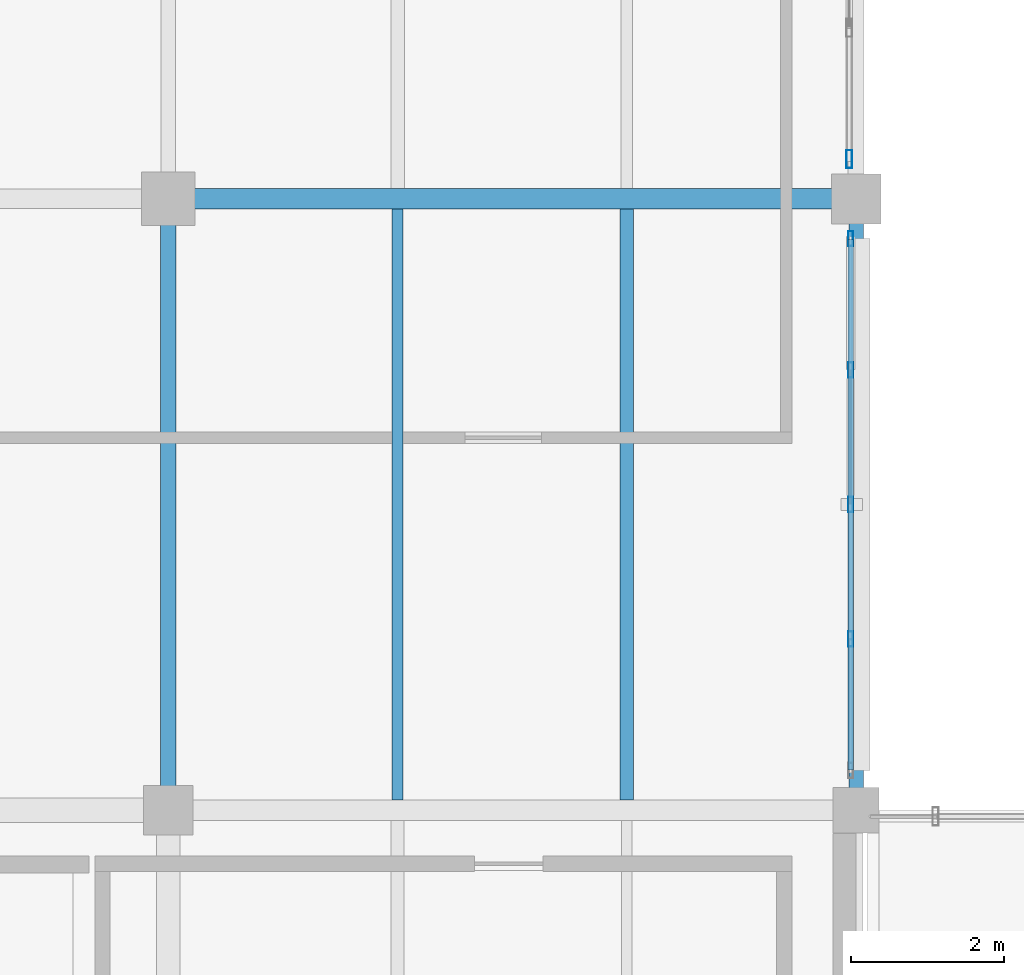
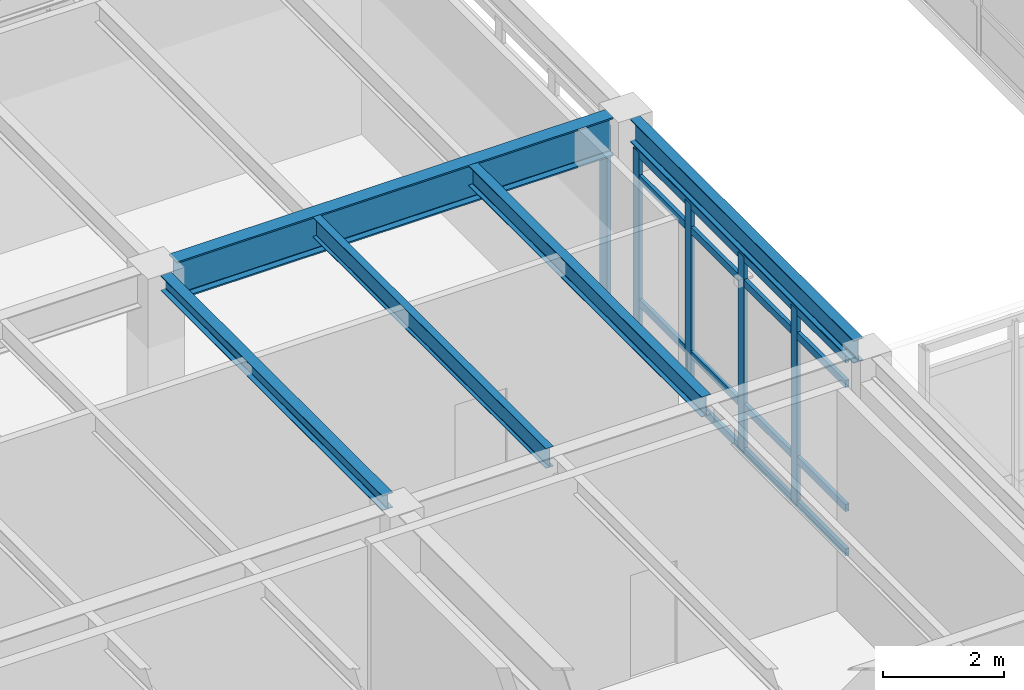
# One storey, part 94 of 200: 9 members, 5 beams, 2 elements without a shape of their own.
"""IFC4 building model written with IfcOpenShell, lengths in metres."""

from ifc_helpers import new_model, si_unit, direction, frame, origin, origin_2d, place, context, subcontext, project, spatial, hollow_rectangle, i_section, extrude, material, material_profile, profile_set, type_object, element, aggregate, save


model = new_model("IFC4")

# Units and contexts
model_context = context("Model", 3, precision=1e-05, world=origin(), true_north=direction((0.0, 1.0)))
body_context = subcontext(model_context, "Body", "Model", "MODEL_VIEW")
ifc_project = project(units=[si_unit("LENGTHUNIT", "METRE"), si_unit("AREAUNIT", "SQUARE_METRE"), si_unit("VOLUMEUNIT", "CUBIC_METRE"), si_unit("PLANEANGLEUNIT", "RADIAN"), si_unit("MASSUNIT", "GRAM", prefix="KILO"), si_unit("THERMODYNAMICTEMPERATUREUNIT", "KELVIN"), si_unit("POWERUNIT", "WATT")], contexts=[model_context])

# Site, building, storey
site_placement = place(None, origin())
site = spatial("IfcSite", under=ifc_project, at=site_placement, CompositionType="ELEMENT")
building_placement = place(site_placement, origin())
building = spatial("IfcBuilding", under=site, at=building_placement, Name="Tepalcoro Natatorium and Aquatics Centre", CompositionType="ELEMENT")
storey_placement = place(building_placement, frame((0.0, 0.0, 5.39990234375)))
storey = spatial("IfcBuildingStorey", under=building, at=storey_placement, Name="L01", CompositionType="ELEMENT", Elevation=5.39990234375)

# Beams
ifc_material_1 = material(Name="Steel ASTM A992 Grade 50 (Fy 345 MPa)", Category="steel")
ifc_material_profile_1 = material_profile(ifc_material_1, i_section(OverallWidth=0.202880859375, OverallDepth=0.304931640625, WebThickness=0.007080078125, FlangeThickness=0.012939453125, FilletRadius=0.013916015625, at=origin_2d()), Name="W12X40")
ifc_profile_set_1 = profile_set([ifc_material_profile_1], Name="Steel ASTM A992 Grade 50 (Fy 345 MPa)")
beam_type_1 = type_object("IfcBeamType", Name="BM_W12x40", PredefinedType="BEAM", material=ifc_profile_set_1)
beam_1_placement = place(storey_placement, frame((80.0, 102.31005859375, 4.33251953125), z_axis=(0.0, 1.0, 0.0), x_axis=(-1.0, 0.0, 0.0)))
element("IfcBeam", 1, at=beam_1_placement, inside=storey, type_object=beam_type_1, Name="V4 L01 Grid Girder Y", PredefinedType="BEAM", context=body_context, shape_type="SweptSolid", body=[
    extrude(i_section(OverallWidth=0.202880859375, OverallDepth=0.304931640625, WebThickness=0.007080078125, FlangeThickness=0.012939453125, FilletRadius=0.013916015625, at=origin_2d()), origin(), (0.0, 0.0, 1.0), 7.35498046875),
])
ifc_material_profile_2 = material_profile(ifc_material_1, i_section(OverallWidth=0.26708984375, OverallDepth=0.780029296875, WebThickness=0.01708984375, FlangeThickness=0.030029296875, FilletRadius=0.013916015625, at=origin_2d()), Name="W30X148")
ifc_profile_set_2 = profile_set([ifc_material_profile_2], Name="Steel ASTM A992 Grade 50 (Fy 345 MPa)")
beam_type_2 = type_object("IfcBeamType", Name="BM_W30x148", PredefinedType="BEAM", material=ifc_profile_set_2)
beam_2_placement = place(storey_placement, frame((80.3349609375, 110.0, 4.09521484375), z_axis=(1.0, 0.0, 0.0), x_axis=(0.0, 1.0, 0.0)))
element("IfcBeam", 2, at=beam_2_placement, inside=storey, type_object=beam_type_2, Name="V4 L01 Grid Girder X", PredefinedType="BEAM", context=body_context, shape_type="SweptSolid", body=[
    extrude(i_section(OverallWidth=0.26708984375, OverallDepth=0.780029296875, WebThickness=0.01708984375, FlangeThickness=0.030029296875, FilletRadius=0.013916015625, at=origin_2d()), origin(), (0.0, 0.0, 1.0), 8.35498046875),
])

# Curtain wall, members
ifc_material_2 = material(Name="Bronze-Anodised Extruded Aluminium Alloy EN AW-6063 T6", Category="aluminium")
curtain_wall_type_1 = type_object("IfcCurtainWallType", Name="CW_LEAN_T2_EW", PredefinedType="USERDEFINED", material=ifc_material_2)
curtain_wall_1_placement = place(storey_placement, origin())
curtain_wall_1 = element("IfcCurtainWall", 3, at=curtain_wall_1_placement, inside=storey, type_object=curtain_wall_type_1, Name="V4 L01 E Unitised Curtain Wall Bay 3", ObjectType="FACETED SOLAR GLAZING", PredefinedType="USERDEFINED")
ifc_material_profile_3 = material_profile(ifc_material_2, hollow_rectangle(XDim=0.070068359375, YDim=0.199951171875, WallThickness=0.0048828125, at=origin_2d()), Name="AL70X200X5")
ifc_profile_set_3 = profile_set([ifc_material_profile_3], Name="Bronze-Anodised Extruded Aluminium Alloy EN AW-6063 T6")
member_type_1 = type_object("IfcMemberType", Name="CW_MUL_70x200", PredefinedType="MULLION", material=ifc_profile_set_3)
member_1_placement = place(storey_placement, frame((88.9287109375, 104.239990234375, 0.02001953125), z_axis=(0.0, 0.0, 1.0), x_axis=(1.0, 0.0, 0.0)))
member_1 = element("IfcMember", 4, at=member_1_placement, type_object=member_type_1, Name="CW_LEAN_T2_EW Curtain Wall Mullion", PredefinedType="MULLION", context=body_context, shape_type="SweptSolid", body=[
    extrude(hollow_rectangle(XDim=0.070068359375, YDim=0.199951171875, WallThickness=0.0048828125, at=origin_2d()), origin(), (0.0, 0.0, 1.0), 3.969970703125),
])
member_2_placement = place(storey_placement, frame((88.9287109375, 106.0, 0.02001953125), z_axis=(0.0, 0.0, 1.0), x_axis=(1.0, 0.0, 0.0)))
member_2 = element("IfcMember", 5, at=member_2_placement, type_object=member_type_1, Name="CW_LEAN_T2_EW Curtain Wall Mullion", PredefinedType="MULLION", context=body_context, shape_type="SweptSolid", body=[
    extrude(hollow_rectangle(XDim=0.070068359375, YDim=0.199951171875, WallThickness=0.0048828125, at=origin_2d()), origin(), (0.0, 0.0, 1.0), 3.969970703125),
])
member_3_placement = place(storey_placement, frame((88.9287109375, 107.760009765625, 0.02001953125), z_axis=(0.0, 0.0, 1.0), x_axis=(1.0, 0.0, 0.0)))
member_3 = element("IfcMember", 6, at=member_3_placement, type_object=member_type_1, Name="CW_LEAN_T2_EW Curtain Wall Mullion", PredefinedType="MULLION", context=body_context, shape_type="SweptSolid", body=[
    extrude(hollow_rectangle(XDim=0.070068359375, YDim=0.199951171875, WallThickness=0.0048828125, at=origin_2d()), origin(), (0.0, 0.0, 1.0), 3.969970703125),
])
member_4_placement = place(storey_placement, frame((88.9287109375, 109.47998046875, 0.02001953125), z_axis=(0.0, 0.0, 1.0), x_axis=(1.0, 0.0, 0.0)))
member_4 = element("IfcMember", 7, at=member_4_placement, type_object=member_type_1, Name="CW_LEAN_T2_EW Curtain Wall Mullion", PredefinedType="MULLION", context=body_context, shape_type="SweptSolid", body=[
    extrude(hollow_rectangle(XDim=0.070068359375, YDim=0.199951171875, WallThickness=0.0048828125, at=origin_2d()), origin(), (0.0, 0.0, 1.0), 3.969970703125),
])

# Curtain wall, member
curtain_wall_type_2 = type_object("IfcCurtainWallType", Name="CW_V1_PLINTH", PredefinedType="USERDEFINED", material=ifc_material_2)
curtain_wall_2_placement = place(storey_placement, origin())
curtain_wall_2 = element("IfcCurtainWall", 8, at=curtain_wall_2_placement, inside=storey, type_object=curtain_wall_type_2, Name="V4 L01 E Unitised Curtain Wall Bay 4", ObjectType="UNITISED STOREFRONT", PredefinedType="USERDEFINED")
ifc_material_profile_4 = material_profile(ifc_material_2, hollow_rectangle(XDim=0.080078125, YDim=0.239990234375, WallThickness=0.0048828125, at=origin_2d()), Name="AL80X240X5")
ifc_profile_set_4 = profile_set([ifc_material_profile_4], Name="Bronze-Anodised Extruded Aluminium Alloy EN AW-6063 T6")
member_type_2 = type_object("IfcMemberType", Name="CW_MUL_80x240", PredefinedType="MULLION", material=ifc_profile_set_4)
member_5_placement = place(storey_placement, frame((88.909912109375, 110.52001953125, 0.02001953125), z_axis=(0.0, 0.0, 1.0), x_axis=(1.0, 0.0, 0.0)))
member_5 = element("IfcMember", 9, at=member_5_placement, type_object=member_type_2, Name="CW_V1_PLINTH Curtain Wall Mullion", PredefinedType="MULLION", context=body_context, shape_type="SweptSolid", body=[
    extrude(hollow_rectangle(XDim=0.080078125, YDim=0.239990234375, WallThickness=0.0048828125, at=origin_2d()), origin(), (0.0, 0.0, 1.0), 3.89404296875),
])
aggregate(curtain_wall_2, [member_5])

# Member
ifc_material_profile_5 = material_profile(ifc_material_2, hollow_rectangle(XDim=0.070068359375, YDim=0.14990234375, WallThickness=0.00390625, at=origin_2d()), Name="AL70X150X4")
ifc_profile_set_5 = profile_set([ifc_material_profile_5], Name="Bronze-Anodised Extruded Aluminium Alloy EN AW-6063 T6")
member_type_3 = type_object("IfcMemberType", Name="CW_TRN_70x150", PredefinedType="USERDEFINED", material=ifc_profile_set_5)
member_6_placement = place(storey_placement, frame((88.9287109375, 102.530029296875, 0.050048828125), z_axis=(0.0, 1.0, 0.0), x_axis=(-1.0, 0.0, 0.0)))
member_6 = element("IfcMember", 10, at=member_6_placement, type_object=member_type_3, Name="CW_LEAN_T2_EW Curtain Wall Transom", ObjectType="TRANSOM", PredefinedType="USERDEFINED", context=body_context, shape_type="SweptSolid", body=[
    extrude(hollow_rectangle(XDim=0.070068359375, YDim=0.14990234375, WallThickness=0.00390625, at=origin_2d()), origin(), (0.0, 0.0, 1.0), 6.93994140625),
])

member_7_placement = place(storey_placement, frame((88.9287109375, 102.530029296875, 0.9501953125), z_axis=(0.0, 1.0, 0.0), x_axis=(-1.0, 0.0, 0.0)))
member_7 = element("IfcMember", 11, at=member_7_placement, type_object=member_type_3, Name="CW_LEAN_T2_EW Curtain Wall Transom", ObjectType="TRANSOM", PredefinedType="USERDEFINED", context=body_context, shape_type="SweptSolid", body=[
    extrude(hollow_rectangle(XDim=0.070068359375, YDim=0.14990234375, WallThickness=0.00390625, at=origin_2d()), origin(), (0.0, 0.0, 1.0), 6.93994140625),
])

member_8_placement = place(storey_placement, frame((88.9287109375, 102.530029296875, 3.460205078125), z_axis=(0.0, 1.0, 0.0), x_axis=(-1.0, 0.0, 0.0)))
member_8 = element("IfcMember", 12, at=member_8_placement, type_object=member_type_3, Name="CW_LEAN_T2_EW Curtain Wall Transom", ObjectType="TRANSOM", PredefinedType="USERDEFINED", context=body_context, shape_type="SweptSolid", body=[
    extrude(hollow_rectangle(XDim=0.070068359375, YDim=0.14990234375, WallThickness=0.00390625, at=origin_2d()), origin(), (0.0, 0.0, 1.0), 6.93994140625),
])

member_9_placement = place(storey_placement, frame((88.9287109375, 102.530029296875, 3.960205078125), z_axis=(0.0, 1.0, 0.0), x_axis=(-1.0, 0.0, 0.0)))
member_9 = element("IfcMember", 13, at=member_9_placement, type_object=member_type_3, Name="CW_LEAN_T2_EW Curtain Wall Transom", ObjectType="TRANSOM", PredefinedType="USERDEFINED", context=body_context, shape_type="SweptSolid", body=[
    extrude(hollow_rectangle(XDim=0.070068359375, YDim=0.14990234375, WallThickness=0.00390625, at=origin_2d()), origin(), (0.0, 0.0, 1.0), 6.93994140625),
])

aggregate(curtain_wall_1, [member_1, member_2, member_3, member_4, member_6, member_7, member_8, member_9])

# Beams
ifc_material_profile_6 = material_profile(ifc_material_1, i_section(OverallWidth=0.139892578125, OverallDepth=0.404052734375, WebThickness=0.007080078125, FlangeThickness=0.010986328125, FilletRadius=0.013916015625, at=origin_2d()), Name="W16X31")
ifc_profile_set_6 = profile_set([ifc_material_profile_6], Name="Steel ASTM A992 Grade 50 (Fy 345 MPa)")
beam_type_3 = type_object("IfcBeamType", Name="JS_W16x31", PredefinedType="JOIST", material=ifc_profile_set_6)
beam_3_placement = place(storey_placement, frame((83.0, 102.133544921875, 4.283203125), z_axis=(0.0, 1.0, 0.0), x_axis=(-1.0, 0.0, 0.0)))
element("IfcBeam", 14, at=beam_3_placement, inside=storey, type_object=beam_type_3, Name="V4 L01 Floor Joist", PredefinedType="JOIST", context=body_context, shape_type="SweptSolid", body=[
    extrude(i_section(OverallWidth=0.139892578125, OverallDepth=0.404052734375, WebThickness=0.007080078125, FlangeThickness=0.010986328125, FilletRadius=0.013916015625, at=origin_2d()), origin(), (0.0, 0.0, 1.0), 7.73291015625),
])
ifc_material_profile_7 = material_profile(ifc_material_1, i_section(OverallWidth=0.178955078125, OverallDepth=0.409912109375, WebThickness=0.009033203125, FlangeThickness=0.013916015625, FilletRadius=0.013916015625, at=origin_2d()), Name="W16X45")
ifc_profile_set_7 = profile_set([ifc_material_profile_7], Name="Steel ASTM A992 Grade 50 (Fy 345 MPa)")
beam_type_4 = type_object("IfcBeamType", Name="JS_W16x45", PredefinedType="JOIST", material=ifc_profile_set_7)
beam_4_placement = place(storey_placement, frame((86.0, 102.133544921875, 4.280029296875), z_axis=(0.0, 1.0, 0.0), x_axis=(-1.0, 0.0, 0.0)))
element("IfcBeam", 15, at=beam_4_placement, inside=storey, type_object=beam_type_4, Name="V4 L01 Floor Joist", PredefinedType="JOIST", context=body_context, shape_type="SweptSolid", body=[
    extrude(i_section(OverallWidth=0.178955078125, OverallDepth=0.409912109375, WebThickness=0.009033203125, FlangeThickness=0.013916015625, FilletRadius=0.013916015625, at=origin_2d()), origin(), (0.0, 0.0, 1.0), 7.73291015625),
])
ifc_material_profile_8 = material_profile(ifc_material_1, i_section(OverallWidth=0.19091796875, OverallDepth=0.4599609375, WebThickness=0.010009765625, FlangeThickness=0.01611328125, FilletRadius=0.013916015625, at=origin_2d()), Name="W18X55")
ifc_profile_set_8 = profile_set([ifc_material_profile_8], Name="Steel ASTM A992 Grade 50 (Fy 345 MPa)")
beam_type_5 = type_object("IfcBeamType", Name="SP_W18x55", PredefinedType="SPANDREL", material=ifc_profile_set_8)
beam_5_placement = place(storey_placement, frame((89.0, 102.284912109375, 4.255126953125), z_axis=(0.0, 1.0, 0.0), x_axis=(-1.0, 0.0, 0.0)))
element("IfcBeam", 16, at=beam_5_placement, inside=storey, type_object=beam_type_5, Name="V4 L01 Grid Girder Y", PredefinedType="SPANDREL", context=body_context, shape_type="SweptSolid", body=[
    extrude(i_section(OverallWidth=0.19091796875, OverallDepth=0.4599609375, WebThickness=0.010009765625, FlangeThickness=0.01611328125, FilletRadius=0.013916015625, at=origin_2d()), origin(), (0.0, 0.0, 1.0), 7.405029296875),
])

save(model, "model.ifc")
